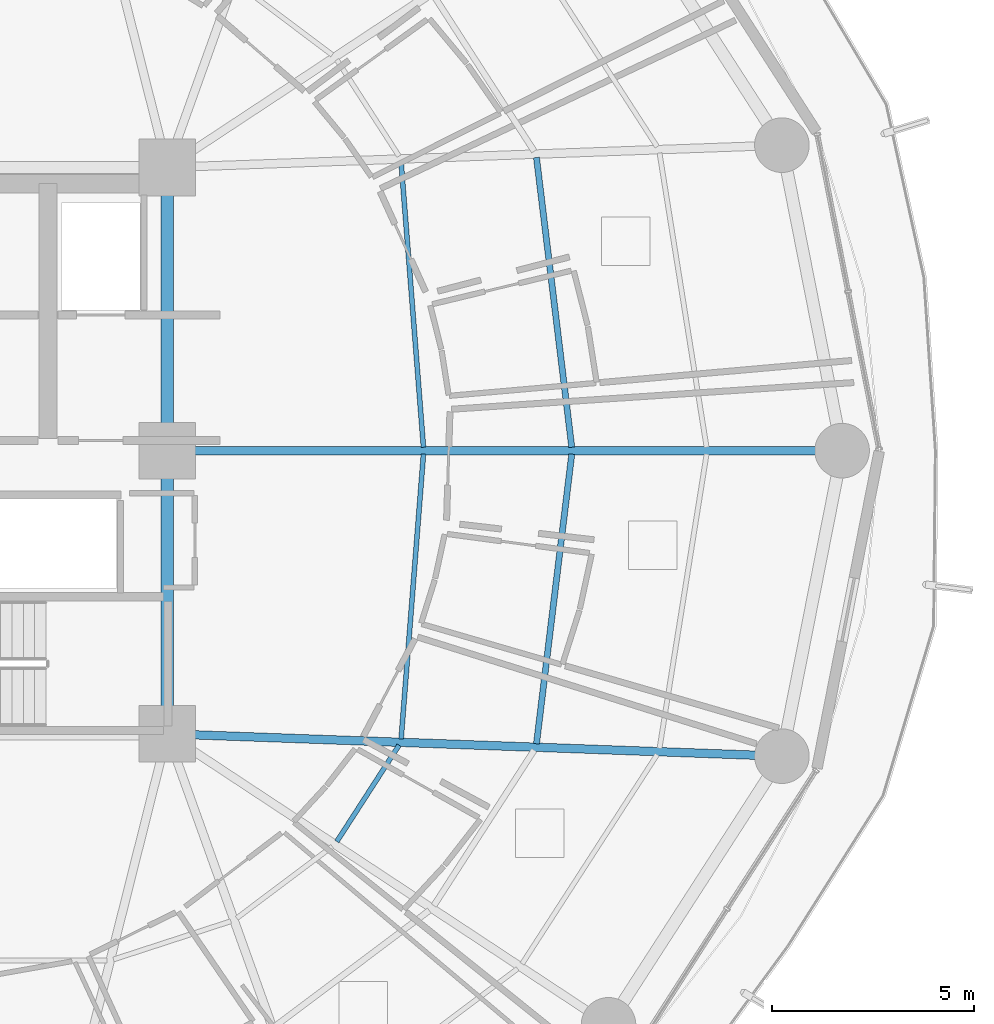
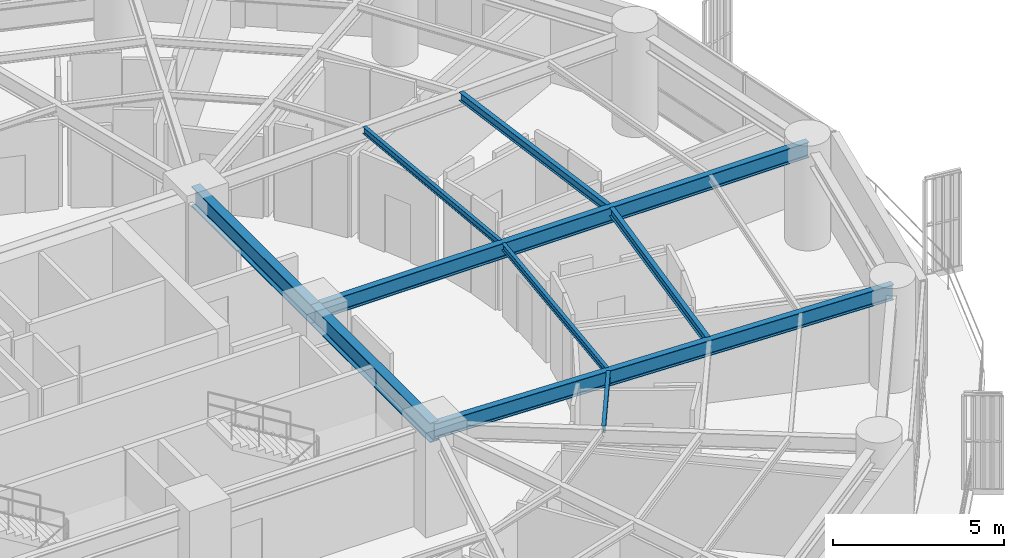
# One storey, part 14 of 36: 9 beams.
"""IFC4 building model written with IfcOpenShell, lengths in metres."""

from ifc_helpers import new_model, si_unit, direction, frame, origin, origin_2d, place, context, subcontext, project, spatial, i_section, extrude, material, material_profile, profile_set, type_object, element, save


model = new_model("IFC4")

# Units and contexts
model_context = context("Model", 3, precision=1e-05, world=origin(), true_north=direction((0.0, 1.0)))
body_context = subcontext(model_context, "Body", "Model", "MODEL_VIEW")
ifc_project = project(units=[si_unit("LENGTHUNIT", "METRE"), si_unit("AREAUNIT", "SQUARE_METRE"), si_unit("VOLUMEUNIT", "CUBIC_METRE"), si_unit("PLANEANGLEUNIT", "RADIAN"), si_unit("MASSUNIT", "GRAM", prefix="KILO")], contexts=[model_context])

# Site, building, storey
site_placement = place(None, origin())
site = spatial("IfcSite", under=ifc_project, at=site_placement, CompositionType="ELEMENT")
building_placement = place(site_placement, origin())
building = spatial("IfcBuilding", under=site, at=building_placement, Name="Kelanora Arch Commons", CompositionType="ELEMENT")
storey_placement = place(building_placement, frame((0.0, 0.0, 98.85009765625)))
storey = spatial("IfcBuildingStorey", under=building, at=storey_placement, Name="L25", CompositionType="ELEMENT", Elevation=98.85009765625)

# Beams
ifc_material = material(Name="Steel S355", Category="steel")
ifc_material_profile_1 = material_profile(ifc_material, i_section(OverallWidth=0.300048828125, OverallDepth=0.699951171875, WebThickness=0.01708984375, FlangeThickness=0.031982421875, FilletRadius=0.027099609375, at=origin_2d()), Name="HEB700")
ifc_profile_set_1 = profile_set([ifc_material_profile_1], Name="Steel S355")
beam_type_1 = type_object("IfcBeamType", Name="BM-CORE-HDR", PredefinedType="BEAM", material=ifc_profile_set_1)
for number, where, z_axis, x_axis, name in (
    (1, (82.0, 51.0, 3.139892578125), (0.0, 1.0, 0.0), (-1.0, 0.0, 0.0), "Core Header Beam 03 L25"),
    (2, (82.0, 58.0, 3.139892578125), (0.0, 1.0, 0.0), (-1.0, 0.0, 0.0), "Core Header Beam 04 L25"),
):
    element("IfcBeam", number, at=place(storey_placement, frame(where, z_axis=z_axis, x_axis=x_axis)), inside=storey, type_object=beam_type_1, Name=name, PredefinedType="BEAM", context=body_context, shape_type="SweptSolid", body=[
        extrude(i_section(OverallWidth=0.300048828125, OverallDepth=0.699951171875, WebThickness=0.01708984375, FlangeThickness=0.031982421875, FilletRadius=0.027099609375, at=origin_2d()), origin(), (0.0, 0.0, 1.0), 7.0),
    ])
ifc_material_profile_2 = material_profile(ifc_material, i_section(OverallWidth=0.14990234375, OverallDepth=0.300048828125, WebThickness=0.007080078125, FlangeThickness=0.0107421875, FilletRadius=0.014892578125, at=origin_2d()), Name="IPE300")
ifc_profile_set_2 = profile_set([ifc_material_profile_2], Name="Steel S355")
beam_type_2 = type_object("IfcBeamType", Name="BM-JST-01", PredefinedType="JOIST", material=ifc_profile_set_2)
for number, where, z_axis, x_axis, name in (
    (3, (91.997802734375, 58.08447265625, 3.33984375), (-0.120935645266, 0.992660349618, 0.0), (-0.992660349618, -0.120935645266, 0.0), "Secondary Chord Joist BJB-00 L25"),
    (4, (91.125244140625, 50.75341796875, 3.33984375), (0.120935645266, 0.992660349618, 0.0), (-0.992660349618, 0.120935645266, 0.0), "Secondary Chord Joist BJB-34 L25"),
):
    element("IfcBeam", number, at=place(storey_placement, frame(where, z_axis=z_axis, x_axis=x_axis)), inside=storey, type_object=beam_type_2, Name=name, PredefinedType="JOIST", context=body_context, shape_type="SweptSolid", body=[
        extrude(i_section(OverallWidth=0.14990234375, OverallDepth=0.300048828125, WebThickness=0.007080078125, FlangeThickness=0.0107421875, FilletRadius=0.014892578125, at=origin_2d()), origin(), (0.0, 0.0, 1.0), 7.215087890625),
    ])
ifc_material_profile_3 = material_profile(ifc_material, i_section(OverallWidth=0.1201171875, OverallDepth=0.239990234375, WebThickness=0.006103515625, FlangeThickness=0.009765625, FilletRadius=0.014892578125, at=origin_2d()), Name="IPE240")
ifc_profile_set_3 = profile_set([ifc_material_profile_3], Name="Steel S355")
beam_type_3 = type_object("IfcBeamType", Name="BM-JST-02", PredefinedType="JOIST", material=ifc_profile_set_3)
beam_1_placement = place(storey_placement, frame((88.331787109375, 58.084716796875, 3.369873046875), z_axis=(-0.078200677502, 0.996937637989, 0.0), x_axis=(-0.996937637989, -0.078200677502, 0.0)))
element("IfcBeam", 5, at=beam_1_placement, inside=storey, type_object=beam_type_3, Name="Secondary Chord Joist BJA-00 L25", PredefinedType="JOIST", context=body_context, shape_type="SweptSolid", body=[
    extrude(i_section(OverallWidth=0.1201171875, OverallDepth=0.239990234375, WebThickness=0.006103515625, FlangeThickness=0.009765625, FilletRadius=0.014892578125, at=origin_2d()), origin(), (0.0, 0.0, 1.0), 7.06201171875),
])
beam_2_placement = place(storey_placement, frame((86.1904296875, 48.338134765625, 3.369873046875), z_axis=(0.542211255502, 0.840242199849, 0.0), x_axis=(-0.840242199849, 0.542211255502, 0.0)))
element("IfcBeam", 6, at=beam_2_placement, inside=storey, type_object=beam_type_3, Name="Secondary Chord Joist BJA-32 L25", PredefinedType="JOIST", context=body_context, shape_type="SweptSolid", body=[
    extrude(i_section(OverallWidth=0.1201171875, OverallDepth=0.239990234375, WebThickness=0.006103515625, FlangeThickness=0.009765625, FilletRadius=0.014892578125, at=origin_2d()), origin(), (0.0, 0.0, 1.0), 2.83349609375),
])
beam_3_placement = place(storey_placement, frame((87.779541015625, 50.875, 3.369873046875), z_axis=(0.078200677502, 0.996937637989, 0.0), x_axis=(-0.996937637989, 0.078200677502, 0.0)))
element("IfcBeam", 7, at=beam_3_placement, inside=storey, type_object=beam_type_3, Name="Secondary Chord Joist BJA-34 L25", PredefinedType="JOIST", context=body_context, shape_type="SweptSolid", body=[
    extrude(i_section(OverallWidth=0.1201171875, OverallDepth=0.239990234375, WebThickness=0.006103515625, FlangeThickness=0.009765625, FilletRadius=0.014892578125, at=origin_2d()), origin(), (0.0, 0.0, 1.0), 7.06201171875),
])
ifc_material_profile_4 = material_profile(ifc_material, i_section(OverallWidth=0.2099609375, OverallDepth=0.550048828125, WebThickness=0.010986328125, FlangeThickness=0.01708984375, FilletRadius=0.02392578125, at=origin_2d()), Name="IPE550")
ifc_profile_set_4 = profile_set([ifc_material_profile_4], Name="Steel S355")
beam_type_4 = type_object("IfcBeamType", Name="BM-RAD-Z2", PredefinedType="BEAM", material=ifc_profile_set_4)
beam_4_placement = place(storey_placement, frame((82.0, 58.0, 3.21484375), z_axis=(1.0, 0.0, 0.0), x_axis=(0.0, 1.0, 0.0)))
element("IfcBeam", 8, at=beam_4_placement, inside=storey, type_object=beam_type_4, Name="Radial Floor Girder BR-00 L25", PredefinedType="BEAM", context=body_context, shape_type="SweptSolid", body=[
    extrude(i_section(OverallWidth=0.2099609375, OverallDepth=0.550048828125, WebThickness=0.010986328125, FlangeThickness=0.01708984375, FilletRadius=0.02392578125, at=origin_2d()), origin(), (0.0, 0.0, 1.0), 16.679931640625),
])
beam_5_placement = place(storey_placement, frame((82.0, 51.0, 3.21484375), z_axis=(0.999341087625, -0.036295875581, 0.0), x_axis=(0.036295875581, 0.999341087625, 0.0)))
element("IfcBeam", 9, at=beam_5_placement, inside=storey, type_object=beam_type_4, Name="Radial Floor Girder BR-34 L25", PredefinedType="BEAM", context=body_context, shape_type="SweptSolid", body=[
    extrude(i_section(OverallWidth=0.2099609375, OverallDepth=0.550048828125, WebThickness=0.010986328125, FlangeThickness=0.01708984375, FilletRadius=0.02392578125, at=origin_2d()), origin(), (0.0, 0.0, 1.0), 15.20166015625),
])

save(model, "model.ifc")
